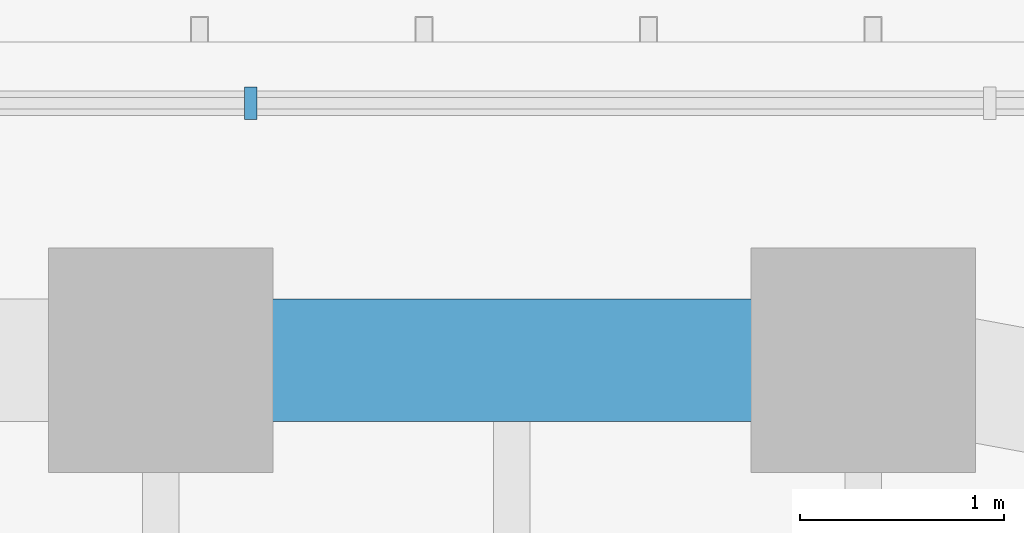
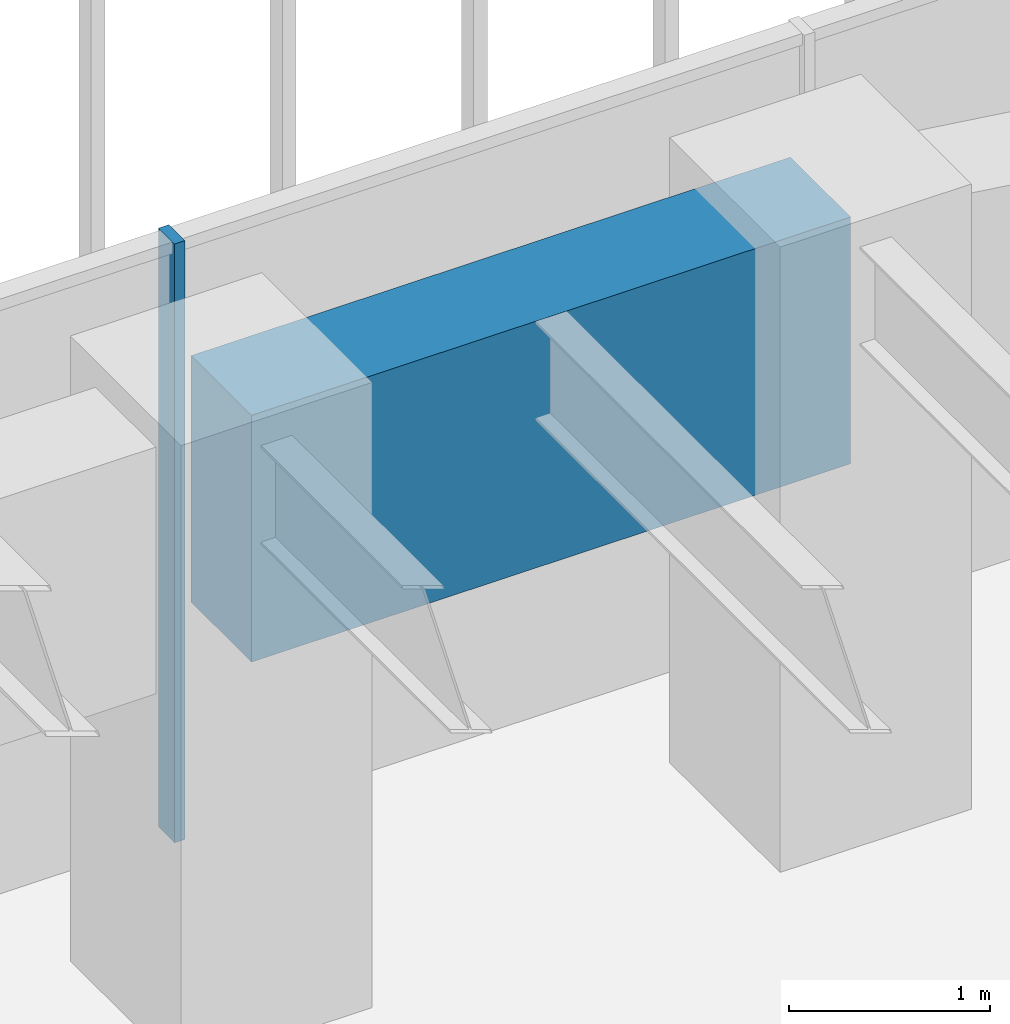
# One storey, part 98 of 127: 1 beam, 1 member, 1 element without a shape of its own.
"""IFC4 building model written with IfcOpenShell, lengths in metres."""

from ifc_helpers import new_model, si_unit, direction, frame, origin, origin_2d, place, context, subcontext, project, spatial, rectangle, extrude, material, material_profile, profile_set, type_object, element, aggregate, save


model = new_model("IFC4")

# Units and contexts
model_context = context("Model", 3, precision=1e-05, world=origin(), true_north=direction((0.0, 1.0)))
body_context = subcontext(model_context, "Body", "Model", "MODEL_VIEW")
ifc_project = project(units=[si_unit("LENGTHUNIT", "METRE"), si_unit("AREAUNIT", "SQUARE_METRE"), si_unit("VOLUMEUNIT", "CUBIC_METRE"), si_unit("PLANEANGLEUNIT", "RADIAN"), si_unit("MASSUNIT", "GRAM", prefix="KILO")], contexts=[model_context])

# Site, building, storey
site_placement = place(None, origin())
site = spatial("IfcSite", under=ifc_project, at=site_placement, CompositionType="ELEMENT")
building_placement = place(site_placement, origin())
building = spatial("IfcBuilding", under=site, at=building_placement, Name="Sandreach Pilgrim Tower", CompositionType="ELEMENT")
storey_placement = place(building_placement, frame((0.0, 0.0, 257.0)))
storey = spatial("IfcBuildingStorey", under=building, at=storey_placement, Name="L64", CompositionType="ELEMENT", Elevation=257.0)

# Curtain wall, member
ifc_material_1 = material(Name="Aluminium framed curtain wall", Category="aluminium")
curtain_wall_type = type_object("IfcCurtainWallType", Name="Suite tower curtain wall", PredefinedType="NOTDEFINED", material=ifc_material_1)
curtain_wall_placement = place(storey_placement, origin())
curtain_wall = element("IfcCurtainWall", 1, at=curtain_wall_placement, inside=storey, type_object=curtain_wall_type, Name="CW-4 L64 N", PredefinedType="NOTDEFINED")
ifc_material_2 = material(Name="Aluminium extrusion", Category="aluminium")
ifc_material_profile_1 = material_profile(ifc_material_2, rectangle(XDim=0.06005859375, YDim=0.159912109375, at=origin_2d()), Name="CW-4M 60X160")
ifc_profile_set_1 = profile_set([ifc_material_profile_1], Name="Aluminium extrusion")
member_type = type_object("IfcMemberType", Name="CW-4 mullion", PredefinedType="MULLION", material=ifc_profile_set_1)
member_placement = place(storey_placement, frame((9.0546875, 19.826416015625, 0.0), z_axis=(0.0, 0.0, 1.0), x_axis=(1.0, 0.0, 0.0)))
member = element("IfcMember", 2, at=member_placement, type_object=member_type, Name="CW-4 mullion 8", PredefinedType="MULLION", context=body_context, shape_type="SweptSolid", body=[
    extrude(rectangle(XDim=0.06005859375, YDim=0.159912109375, at=origin_2d()), origin(), (0.0, 0.0, 1.0), 3.639892578125),
])
aggregate(curtain_wall, [member])

# Beam
ifc_material_3 = material(Name="Concrete 10000 psi", Category="concrete")
ifc_material_profile_2 = material_profile(ifc_material_3, rectangle(XDim=0.60009765625, YDim=1.5, at=origin_2d()), Name="RC600X1500")
ifc_profile_set_2 = profile_set([ifc_material_profile_2], Name="Concrete 10000 psi")
beam_type = type_object("IfcBeamType", Name="Spandrel beam RC600X1500", PredefinedType="SPANDREL", material=ifc_profile_set_2)
beam_placement = place(storey_placement, frame((8.612548828125, 18.56640625, 2.889892578125), z_axis=(1.0, 0.0, 0.0), x_axis=(0.0, 1.0, 0.0)))
element("IfcBeam", 3, at=beam_placement, inside=storey, type_object=beam_type, Name="BM L64 SP07", PredefinedType="SPANDREL", context=body_context, shape_type="SweptSolid", body=[
    extrude(rectangle(XDim=0.60009765625, YDim=1.5, at=origin_2d()), origin(), (0.0, 0.0, 1.0), 3.445068359375),
])

save(model, "model.ifc")
